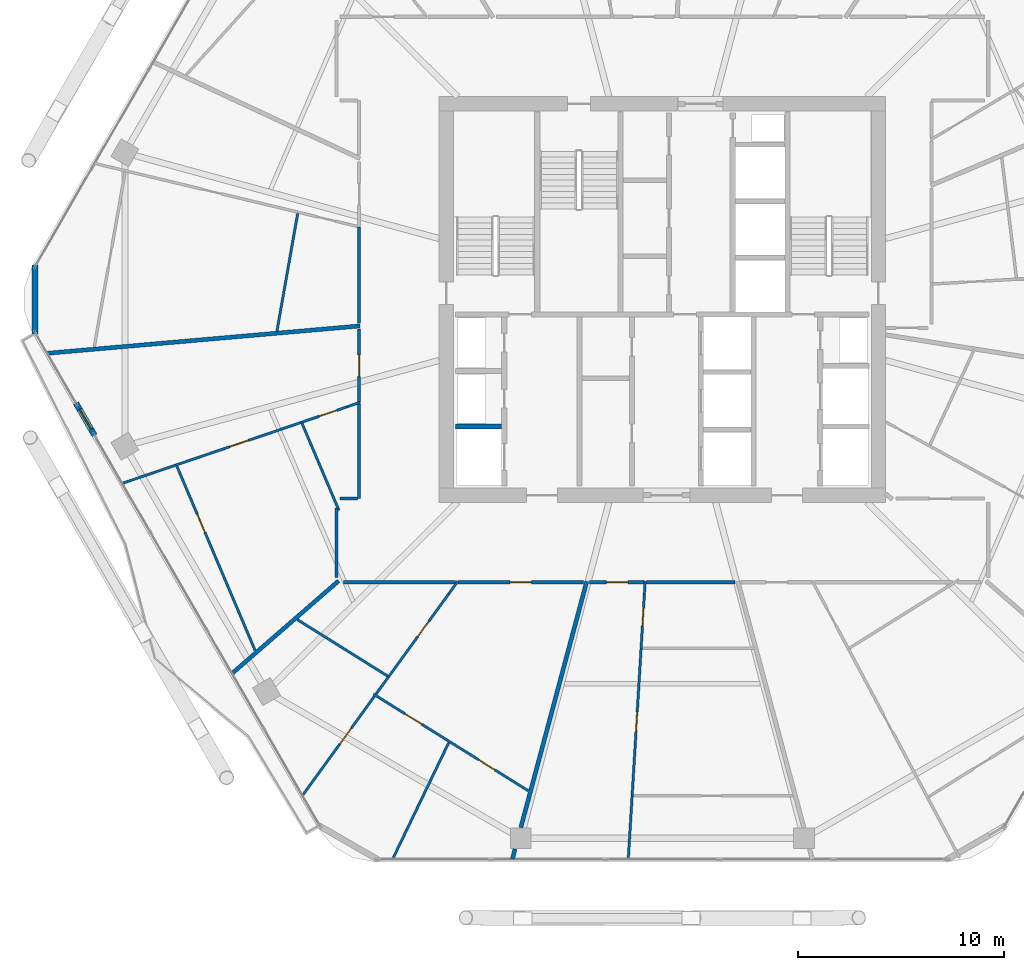
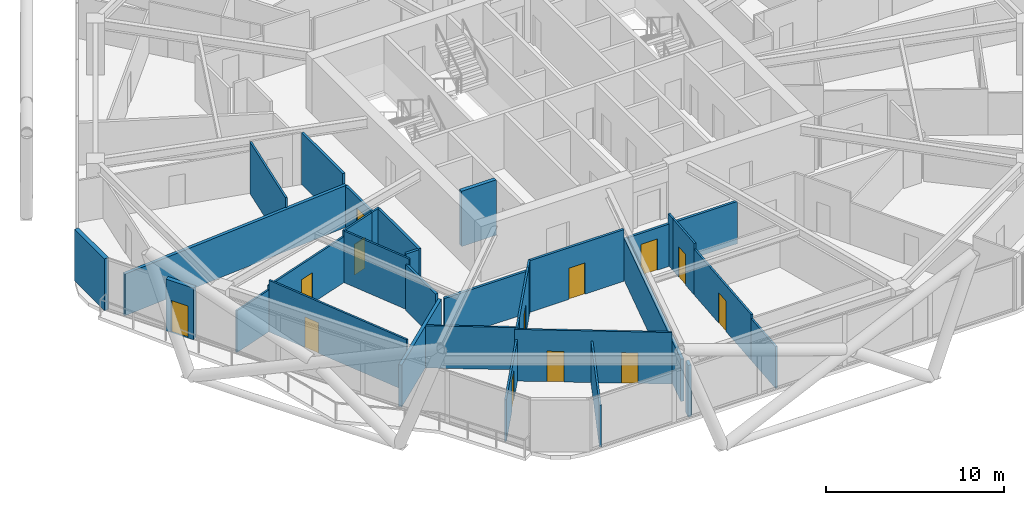
# One storey, part 20 of 28: 34 walls, 13 doors, 13 openings.
"""IFC4 building model written with IfcOpenShell, lengths in metres."""

from ifc_helpers import new_model, si_unit, direction, frame, frame_2d, origin, place, context, subcontext, project, spatial, rectangle, extrude, material, layer, layer_set, type_object, element, fill, save


model = new_model("IFC4")

# Units and contexts
model_context = context("Model", 3, precision=1e-05, world=origin(), true_north=direction((0.0, 1.0)))
body_context = subcontext(model_context, "Body", "Model", "MODEL_VIEW")
ifc_project = project(units=[si_unit("LENGTHUNIT", "METRE"), si_unit("AREAUNIT", "SQUARE_METRE"), si_unit("VOLUMEUNIT", "CUBIC_METRE"), si_unit("PLANEANGLEUNIT", "RADIAN"), si_unit("MASSUNIT", "GRAM", prefix="KILO")], contexts=[model_context])

# Site, building, storey
site_placement = place(None, origin())
site = spatial("IfcSite", under=ifc_project, at=site_placement, CompositionType="ELEMENT")
building_placement = place(site_placement, origin())
building = spatial("IfcBuilding", under=site, at=building_placement, Name="Zuhravey Tower", CompositionType="ELEMENT")
storey_placement = place(building_placement, frame((0.0, 0.0, 169.39990234375)))
storey = spatial("IfcBuildingStorey", under=building, at=storey_placement, Name="L42", CompositionType="ELEMENT", Elevation=169.39990234375)

# Wall, opening, door
ifc_material_1 = material(Name="Gypsum fire-rated stud partition")
ifc_layer_1 = layer(ifc_material_1, 0.159912109375)
ifc_layer_set_1 = layer_set([ifc_layer_1], Name="Gypsum fire-rated stud partition")
wall_type_1 = type_object("IfcWallType", Name="Corridor Fire Partition 160", PredefinedType="PARTITIONING", material=ifc_layer_set_1)
wall_1_placement = place(storey_placement, frame((21.27001953125, 30.5615234375, 0.0), z_axis=(0.0, 0.0, 1.0), x_axis=(0.0, -1.0, 0.0)))
wall_1 = element("IfcWall", 1, at=wall_1_placement, inside=storey, type_object=wall_type_1, Name="L42 IW16 Partition 045", PredefinedType="PARTITIONING", context=body_context, shape_type="SweptSolid", body=[
    extrude(rectangle(XDim=3.554931640625, YDim=0.159912109375, at=frame_2d((1.77734375, 0.0))), origin(), (0.0, 0.0, 1.0), 2.900146484375),
])
opening_1_placement = place(wall_1_placement, frame((1.25244140625, 0.0, 0.0)))
opening_1 = element("IfcOpeningElement", 2, at=opening_1_placement, cuts=wall_1, Name="Opening APD1", PredefinedType="OPENING", context=body_context, shape_type="SweptSolid", body=[
    extrude(rectangle(XDim=1.050048828125, YDim=2.14990234375, at=frame_2d((0.52490234375, 1.074951171875))), frame((0.0, 0.092041015625, 0.0), z_axis=(0.0, -1.0, 0.0), x_axis=(1.0, 0.0, 0.0)), (0.0, 0.0, 1.0), 0.183837890625),
])
ifc_material_2 = material(Name="Solid-core oak fire-rated leaf")
door_type_1 = type_object("IfcDoorType", Name="Apartment Entrance Fire Door 1050x2150", OperationType="NOTDEFINED", PredefinedType="DOOR", material=ifc_material_2)
door_1_placement = place(opening_1_placement, frame((1.050048828125, 0.0, 0.0), z_axis=(0.0, 0.0, 1.0), x_axis=(-1.0, 0.0, 0.0)))
door_1 = element("IfcDoor", 3, at=door_1_placement, inside=storey, type_object=door_type_1, Name="L42 Door 045.1", OperationType="SINGLE_SWING_RIGHT", OverallHeight=2.14990234375, OverallWidth=1.050048828125, PredefinedType="DOOR", context=body_context, shape_type="SweptSolid", body=[
    extrude(rectangle(XDim=1.050048828125, YDim=2.14990234375, at=frame_2d((0.52490234375, 1.074951171875))), frame((0.0, 0.02490234375, 0.0), z_axis=(0.0, -1.0, 0.0), x_axis=(1.0, 0.0, 0.0)), (0.0, 0.0, 1.0), 0.050048828125),
])
fill(opening_1, door_1)

wall_2_placement = place(storey_placement, frame((26.06396484375, 18.27001953125, 0.0), z_axis=(0.0, 0.0, 1.0), x_axis=(1.0, 0.0, 0.0)))
wall_2 = element("IfcWall", 4, at=wall_2_placement, inside=storey, type_object=wall_type_1, Name="L42 IW16 Partition 050", PredefinedType="PARTITIONING", context=body_context, shape_type="SweptSolid", body=[
    extrude(rectangle(XDim=6.107666015625, YDim=0.159912109375, at=frame_2d((3.0537109375, 0.0))), origin(), (0.0, 0.0, 1.0), 3.550048828125),
])
opening_2_placement = place(wall_2_placement, frame((2.52880859375, 0.0, 0.0)))
opening_2 = element("IfcOpeningElement", 5, at=opening_2_placement, cuts=wall_2, Name="Opening APD1", PredefinedType="OPENING", context=body_context, shape_type="SweptSolid", body=[
    extrude(rectangle(XDim=1.050048828125, YDim=2.14990234375, at=frame_2d((0.52490234375, 1.074951171875))), frame((0.0, 0.092041015625, 0.0), z_axis=(0.0, -1.0, 0.0), x_axis=(1.0, 0.0, 0.0)), (0.0, 0.0, 1.0), 0.183837890625),
])
door_2_placement = place(opening_2_placement, frame((1.050048828125, 0.0, 0.0), z_axis=(0.0, 0.0, 1.0), x_axis=(-1.0, 0.0, 0.0)))
door_2 = element("IfcDoor", 6, at=door_2_placement, inside=storey, type_object=door_type_1, Name="L42 Door 050.1", OperationType="SINGLE_SWING_LEFT", OverallHeight=2.14990234375, OverallWidth=1.050048828125, PredefinedType="DOOR", context=body_context, shape_type="SweptSolid", body=[
    extrude(rectangle(XDim=1.050048828125, YDim=2.14990234375, at=frame_2d((0.52490234375, 1.074951171875))), frame((0.0, 0.02490234375, 0.0), z_axis=(0.0, -1.0, 0.0), x_axis=(1.0, 0.0, 0.0)), (0.0, 0.0, 1.0), 0.050048828125),
])
fill(opening_2, door_2)

wall_3_placement = place(storey_placement, frame((32.4697265625, 18.27001953125, 0.0), z_axis=(0.0, 0.0, 1.0), x_axis=(1.0, 0.0, 0.0)))
wall_3 = element("IfcWall", 7, at=wall_3_placement, inside=storey, type_object=wall_type_1, Name="L42 IW16 Partition 054", PredefinedType="PARTITIONING", context=body_context, shape_type="SweptSolid", body=[
    extrude(rectangle(XDim=2.67529296875, YDim=0.159912109375, at=frame_2d((1.337646484375, 0.0))), origin(), (0.0, 0.0, 1.0), 2.900146484375),
])
opening_3_placement = place(wall_3_placement, frame((0.8125, 0.0, 0.0)))
opening_3 = element("IfcOpeningElement", 8, at=opening_3_placement, cuts=wall_3, Name="Opening APD1", PredefinedType="OPENING", context=body_context, shape_type="SweptSolid", body=[
    extrude(rectangle(XDim=1.050048828125, YDim=2.14990234375, at=frame_2d((0.52490234375, 1.074951171875))), frame((0.0, 0.092041015625, 0.0), z_axis=(0.0, -1.0, 0.0), x_axis=(1.0, 0.0, 0.0)), (0.0, 0.0, 1.0), 0.183837890625),
])
door_3_placement = place(opening_3_placement, frame((1.050048828125, 0.0, 0.0), z_axis=(0.0, 0.0, 1.0), x_axis=(-1.0, 0.0, 0.0)))
door_3 = element("IfcDoor", 9, at=door_3_placement, inside=storey, type_object=door_type_1, Name="L42 Door 054.1", OperationType="SINGLE_SWING_LEFT", OverallHeight=2.14990234375, OverallWidth=1.050048828125, PredefinedType="DOOR", context=body_context, shape_type="SweptSolid", body=[
    extrude(rectangle(XDim=1.050048828125, YDim=2.14990234375, at=frame_2d((0.52490234375, 1.074951171875))), frame((0.0, 0.02490234375, 0.0), z_axis=(0.0, -1.0, 0.0), x_axis=(1.0, 0.0, 0.0)), (0.0, 0.0, 1.0), 0.050048828125),
])
fill(opening_3, door_3)

# Walls
wall_4_placement = place(storey_placement, frame((21.27001953125, 35.510498046875, 0.0), z_axis=(0.0, 0.0, 1.0), x_axis=(0.0, -1.0, 0.0)))
element("IfcWall", 10, at=wall_4_placement, inside=storey, type_object=wall_type_1, Name="L42 IW16 Partition 133", PredefinedType="PARTITIONING", context=body_context, shape_type="SweptSolid", body=[
    extrude(rectangle(XDim=4.649658203125, YDim=0.159912109375, at=frame_2d((2.32470703125, 0.0))), origin(), (0.0, 0.0, 1.0), 3.550048828125),
])
wall_5_placement = place(storey_placement, frame((21.27001953125, 26.913818359375, 0.0), z_axis=(0.0, 0.0, 1.0), x_axis=(0.0, -1.0, 0.0)))
element("IfcWall", 11, at=wall_5_placement, inside=storey, type_object=wall_type_1, Name="L42 IW16 Partition 134", PredefinedType="PARTITIONING", context=body_context, shape_type="SweptSolid", body=[
    extrude(rectangle(XDim=4.583740234375, YDim=0.159912109375, at=frame_2d((2.2919921875, 0.0))), origin(), (0.0, 0.0, 1.0), 3.550048828125),
])
wall_6_placement = place(storey_placement, frame((21.181884765625, 22.330078125, 0.0), z_axis=(0.0, 0.0, 1.0), x_axis=(-1.0, 0.0, 0.0)))
element("IfcWall", 12, at=wall_6_placement, inside=storey, type_object=wall_type_1, Name="L42 IW16 Partition 135", PredefinedType="PARTITIONING", context=body_context, shape_type="SweptSolid", body=[
    extrude(rectangle(XDim=0.831787109375, YDim=0.159912109375, at=frame_2d((0.416015625, 0.0))), origin(), (0.0, 0.0, 1.0), 3.550048828125),
])
wall_7_placement = place(storey_placement, frame((20.169921875, 21.87060546875, 0.0), z_axis=(0.0, 0.0, 1.0), x_axis=(0.0, -1.0, 0.0)))
element("IfcWall", 13, at=wall_7_placement, inside=storey, type_object=wall_type_1, Name="L42 IW16 Partition 136", PredefinedType="PARTITIONING", context=body_context, shape_type="SweptSolid", body=[
    extrude(rectangle(XDim=3.364501953125, YDim=0.159912109375, at=frame_2d((1.68212890625, 0.0))), origin(), (0.0, 0.0, 1.0), 3.150146484375),
])
wall_8_placement = place(storey_placement, frame((20.51123046875, 18.27001953125, 0.0), z_axis=(0.0, 0.0, 1.0), x_axis=(1.0, 0.0, 0.0)))
element("IfcWall", 14, at=wall_8_placement, inside=storey, type_object=wall_type_1, Name="L42 IW16 Partition 137", PredefinedType="PARTITIONING", context=body_context, shape_type="SweptSolid", body=[
    extrude(rectangle(XDim=5.44384765625, YDim=0.159912109375, at=frame_2d((2.721923828125, 0.0))), origin(), (0.0, 0.0, 1.0), 2.900146484375),
])
wall_9_placement = place(storey_placement, frame((35.233154296875, 18.27001953125, 0.0), z_axis=(0.0, 0.0, 1.0), x_axis=(1.0, 0.0, 0.0)))
element("IfcWall", 15, at=wall_9_placement, inside=storey, type_object=wall_type_1, Name="L42 IW16 Partition 138", PredefinedType="PARTITIONING", context=body_context, shape_type="SweptSolid", body=[
    extrude(rectangle(XDim=4.297119140625, YDim=0.159912109375, at=frame_2d((2.1484375, 0.0))), origin(), (0.0, 0.0, 1.0), 2.900146484375),
])

# Wall, opening, door
ifc_material_3 = material(Name="Precast concrete C40/50", Category="concrete")
ifc_layer_2 = layer(ifc_material_3, 0.280029296875)
ifc_layer_set_2 = layer_set([ifc_layer_2], Name="Precast concrete C40/50")
wall_type_2 = type_object("IfcWallType", Name="Crown Architectural Wall 280", PredefinedType="SOLIDWALL", material=ifc_layer_set_2)
wall_10_placement = place(storey_placement, frame((8.419189453125, 25.4052734375, 0.0), z_axis=(0.0, 0.0, 1.0), x_axis=(-0.499982180423, 0.866035691677, 0.0)))
wall_10 = element("IfcWall", 16, at=wall_10_placement, inside=storey, type_object=wall_type_2, Name="L42 Face 4 Facade Pier EW28-1", PredefinedType="SOLIDWALL", context=body_context, shape_type="SweptSolid", body=[
    extrude(rectangle(XDim=1.7900390625, YDim=0.280029296875, at=frame_2d((0.89501953125, 0.0))), origin(), (0.0, 0.0, 1.0), 3.550048828125),
])
opening_4_placement = place(wall_10_placement, frame((0.344970703125, 0.0, 0.0)))
opening_4 = element("IfcOpeningElement", 17, at=opening_4_placement, cuts=wall_10, Name="Opening BLD1", PredefinedType="OPENING", context=body_context, shape_type="SweptSolid", body=[
    extrude(rectangle(XDim=1.10009765625, YDim=2.199951171875, at=frame_2d((0.550048828125, 1.10009765625))), frame((0.0, 0.152099609375, 0.0), z_axis=(0.0, -1.0, 0.0), x_axis=(1.0, 0.0, 0.0)), (0.0, 0.0, 1.0), 0.303955078125),
])
ifc_material_4 = material(Name="Thermally broken aluminium and low-E glass", Category="aluminium")
door_type_2 = type_object("IfcDoorType", Name="Balcony & Sky-Tray Glazed Door 1100x2200", OperationType="NOTDEFINED", PredefinedType="DOOR", material=ifc_material_4)
door_4_placement = place(opening_4_placement, frame((1.10009765625, 0.0, 0.0), z_axis=(0.0, 0.0, 1.0), x_axis=(-1.0, 0.0, 0.0)))
door_4 = element("IfcDoor", 18, at=door_4_placement, inside=storey, type_object=door_type_2, Name="L42 Face 4 Wave Balcony Door", OperationType="SINGLE_SWING_LEFT", OverallHeight=2.199951171875, OverallWidth=1.10009765625, PredefinedType="DOOR", context=body_context, shape_type="SweptSolid", body=[
    extrude(rectangle(XDim=1.10009765625, YDim=2.199951171875, at=frame_2d((0.550048828125, 1.10009765625))), frame((0.0, 0.02490234375, 0.0), z_axis=(0.0, -1.0, 0.0), x_axis=(1.0, 0.0, 0.0)), (0.0, 0.0, 1.0), 0.050048828125),
])
fill(opening_4, door_4)

# Walls
wall_11_placement = place(storey_placement, frame((5.5283203125, 30.3173828125, 0.0), z_axis=(0.0, 0.0, 1.0), x_axis=(0.0, 1.0, 0.0)))
element("IfcWall", 19, at=wall_11_placement, inside=storey, type_object=wall_type_2, Name="L42 Rounded Corner Closure Wall EW28-06", PredefinedType="SOLIDWALL", context=body_context, shape_type="SweptSolid", body=[
    extrude(rectangle(XDim=3.365234375, YDim=0.280029296875, at=frame_2d((1.6826171875, 0.0))), origin(), (0.0, 0.0, 1.0), 3.550048828125),
])
ifc_material_5 = material(Name="Concrete C50/60", Category="concrete")
ifc_layer_3 = layer(ifc_material_5, 0.25)
ifc_layer_set_3 = layer_set([ifc_layer_3], Name="Concrete C50/60")
wall_type_3 = type_object("IfcWallType", Name="Firefighting Shaft & Stair Wall 250", PredefinedType="SOLIDWALL", material=ifc_layer_set_3)
wall_12_placement = place(storey_placement, frame((25.949951171875, 25.824951171875, 0.0), z_axis=(0.0, 0.0, 1.0), x_axis=(1.0, 0.0, 0.0)))
element("IfcWall", 20, at=wall_12_placement, inside=storey, type_object=wall_type_3, Name="L42 FW25 Shaft Wall 009", PredefinedType="SOLIDWALL", context=body_context, shape_type="SweptSolid", body=[
    extrude(rectangle(XDim=2.25, YDim=0.25, at=frame_2d((1.125, 0.0))), origin(), (0.0, 0.0, 1.0), 3.800048828125),
])
ifc_material_6 = material(Name="Gypsum double-stud party assembly")
ifc_layer_4 = layer(ifc_material_6, 0.199951171875)
ifc_layer_set_4 = layer_set([ifc_layer_4], Name="Gypsum double-stud party assembly")
wall_type_4 = type_object("IfcWallType", Name="Inter-Tenancy Party Wall 200", PredefinedType="PARTITIONING", material=ifc_layer_set_4)
wall_13_placement = place(storey_placement, frame((21.31005859375, 30.71484375, 0.0), z_axis=(0.0, 0.0, 1.0), x_axis=(-0.996194847126, -0.087154039266, 0.0)))
element("IfcWall", 21, at=wall_13_placement, inside=storey, type_object=wall_type_4, Name="L42 IW20 Partition 096", PredefinedType="PARTITIONING", context=body_context, shape_type="SweptSolid", body=[
    extrude(rectangle(XDim=15.247314453125, YDim=0.199951171875, at=frame_2d((7.62353515625, 0.0))), origin(), (0.0, 0.0, 1.0), 2.8701171875),
])
wall_14_placement = place(storey_placement, frame((20.27587890625, 18.331298828125, 0.0), z_axis=(0.0, 0.0, 1.0), x_axis=(-0.754712052901, -0.656056184489, 0.0)))
element("IfcWall", 22, at=wall_14_placement, inside=storey, type_object=wall_type_4, Name="L42 IW20 Partition 100", PredefinedType="PARTITIONING", context=body_context, shape_type="SweptSolid", body=[
    extrude(rectangle(XDim=6.857421875, YDim=0.199951171875, at=frame_2d((3.4287109375, 0.0))), origin(), (0.0, 0.0, 1.0), 2.8701171875),
])
wall_15_placement = place(storey_placement, frame((32.331787109375, 18.31005859375, 0.0), z_axis=(0.0, 0.0, 1.0), x_axis=(-0.258823121138, -0.96592473411, 0.0)))
element("IfcWall", 23, at=wall_15_placement, inside=storey, type_object=wall_type_4, Name="L42 IW20 Partition 104", PredefinedType="PARTITIONING", context=body_context, shape_type="SweptSolid", body=[
    extrude(rectangle(XDim=12.38525390625, YDim=0.199951171875, at=frame_2d((6.192626953125, 0.0))), origin(), (0.0, 0.0, 1.0), 2.900146484375),
])
wall_16_placement = place(storey_placement, frame((28.84765625, 5.306884765625, 0.0), z_axis=(0.0, 0.0, 1.0), x_axis=(-0.258920510492, -0.965898633008, 0.0)))
element("IfcWall", 24, at=wall_16_placement, inside=storey, type_object=wall_type_4, Name="L42 IW20 Partition 105", PredefinedType="PARTITIONING", context=body_context, shape_type="SweptSolid", body=[
    extrude(rectangle(XDim=0.50732421875, YDim=0.199951171875, at=frame_2d((0.253662109375, 0.0))), origin(), (0.0, 0.0, 1.0), 3.550048828125),
])

# Wall, opening, door
ifc_material_7 = material(Name="Gypsum metal-stud partition")
ifc_layer_5 = layer(ifc_material_7, 0.1201171875)
ifc_layer_set_5 = layer_set([ifc_layer_5], Name="Gypsum metal-stud partition")
wall_type_5 = type_object("IfcWallType", Name="Unit Internal Partition 120", PredefinedType="PARTITIONING", material=ifc_layer_set_5)
wall_17_placement = place(storey_placement, frame((20.699951171875, 26.79150390625, 0.0), z_axis=(0.0, 0.0, 1.0), x_axis=(-0.946637890064, -0.322299092608, 0.0)))
wall_17 = element("IfcWall", 25, at=wall_17_placement, inside=storey, type_object=wall_type_5, Name="L42 IW12 Partition 042", PredefinedType="PARTITIONING", context=body_context, shape_type="SweptSolid", body=[
    extrude(rectangle(XDim=2.3740234375, YDim=0.1201171875, at=frame_2d((1.18701171875, 0.0))), origin(), (0.0, 0.0, 1.0), 3.550048828125),
])
opening_5_placement = place(wall_17_placement, frame((0.547119140625, 0.0, 0.0)))
opening_5 = element("IfcOpeningElement", 26, at=opening_5_placement, cuts=wall_17, Name="Opening WCD1", PredefinedType="OPENING", context=body_context, shape_type="SweptSolid", body=[
    extrude(rectangle(XDim=0.89990234375, YDim=2.10009765625, at=frame_2d((0.449951171875, 1.050048828125))), frame((0.0, 0.072021484375, 0.0), z_axis=(0.0, -1.0, 0.0), x_axis=(1.0, 0.0, 0.0)), (0.0, 0.0, 1.0), 0.14404296875),
])
ifc_material_8 = material(Name="Moisture-resistant timber leaf", Category="wood")
door_type_3 = type_object("IfcDoorType", Name="Bathroom & WC Internal Door 900x2100", OperationType="NOTDEFINED", PredefinedType="DOOR", material=ifc_material_8)
door_5_placement = place(opening_5_placement, origin())
door_5 = element("IfcDoor", 27, at=door_5_placement, inside=storey, type_object=door_type_3, Name="Apartment L42-06 Bathroom Door", OperationType="SINGLE_SWING_LEFT", OverallHeight=2.10009765625, OverallWidth=0.89990234375, PredefinedType="DOOR", context=body_context, shape_type="SweptSolid", body=[
    extrude(rectangle(XDim=0.89990234375, YDim=2.10009765625, at=frame_2d((0.449951171875, 1.050048828125))), frame((0.0, 0.02490234375, 0.0), z_axis=(0.0, -1.0, 0.0), x_axis=(1.0, 0.0, 0.0)), (0.0, 0.0, 1.0), 0.050048828125),
])
fill(opening_5, door_5)

wall_18_placement = place(storey_placement, frame((18.45263671875, 26.026611328125, 0.0), z_axis=(0.0, 0.0, 1.0), x_axis=(-0.946642506906, -0.322285531973, 0.0)))
wall_18 = element("IfcWall", 28, at=wall_18_placement, inside=storey, type_object=wall_type_5, Name="L42 IW12 Partition 043", PredefinedType="PARTITIONING", context=body_context, shape_type="SweptSolid", body=[
    extrude(rectangle(XDim=6.42529296875, YDim=0.1201171875, at=frame_2d((3.212646484375, 0.0))), origin(), (0.0, 0.0, 1.0), 3.150146484375),
])
opening_6_placement = place(wall_18_placement, frame((2.712646484375, 0.0, 0.0)))
opening_6 = element("IfcOpeningElement", 29, at=opening_6_placement, cuts=wall_18, Name="Opening IND1", PredefinedType="OPENING", context=body_context, shape_type="SweptSolid", body=[
    extrude(rectangle(XDim=0.949951171875, YDim=2.10009765625, at=frame_2d((0.47509765625, 1.050048828125))), frame((0.0, 0.072021484375, 0.0), z_axis=(0.0, -1.0, 0.0), x_axis=(1.0, 0.0, 0.0)), (0.0, 0.0, 1.0), 0.14404296875),
])
ifc_material_9 = material(Name="Painted engineered timber leaf", Category="wood")
door_type_4 = type_object("IfcDoorType", Name="Internal Room & Bedroom Door 950x2100", OperationType="NOTDEFINED", PredefinedType="DOOR", material=ifc_material_9)
door_6_placement = place(opening_6_placement, origin())
door_6 = element("IfcDoor", 30, at=door_6_placement, inside=storey, type_object=door_type_4, Name="Apartment L42-06 Home Office Door", OperationType="SINGLE_SWING_RIGHT", OverallHeight=2.10009765625, OverallWidth=0.949951171875, PredefinedType="DOOR", context=body_context, shape_type="SweptSolid", body=[
    extrude(rectangle(XDim=0.949951171875, YDim=2.10009765625, at=frame_2d((0.47509765625, 1.050048828125))), frame((0.0, 0.02490234375, 0.0), z_axis=(0.0, -1.0, 0.0), x_axis=(1.0, 0.0, 0.0)), (0.0, 0.0, 1.0), 0.050048828125),
])
fill(opening_6, door_6)

wall_19_placement = place(storey_placement, frame((12.42041015625, 23.90087890625, 0.0), z_axis=(0.0, 0.0, 1.0), x_axis=(0.390728803852, -0.920505840199, 0.0)))
wall_19 = element("IfcWall", 31, at=wall_19_placement, inside=storey, type_object=wall_type_5, Name="L42 IW12 Partition 044", PredefinedType="PARTITIONING", context=body_context, shape_type="SweptSolid", body=[
    extrude(rectangle(XDim=9.704345703125, YDim=0.1201171875, at=frame_2d((4.85205078125, 0.0))), origin(), (0.0, 0.0, 1.0), 3.550048828125),
])
opening_7_placement = place(wall_19_placement, frame((2.532958984375, 0.0, 0.0)))
opening_7 = element("IfcOpeningElement", 32, at=opening_7_placement, cuts=wall_19, Name="Opening IND1", PredefinedType="OPENING", context=body_context, shape_type="SweptSolid", body=[
    extrude(rectangle(XDim=0.949951171875, YDim=2.10009765625, at=frame_2d((0.47509765625, 1.050048828125))), frame((0.0, 0.072021484375, 0.0), z_axis=(0.0, -1.0, 0.0), x_axis=(1.0, 0.0, 0.0)), (0.0, 0.0, 1.0), 0.14404296875),
])
door_7_placement = place(opening_7_placement, frame((0.949951171875, 0.0, 0.0), z_axis=(0.0, 0.0, 1.0), x_axis=(-1.0, 0.0, 0.0)))
door_7 = element("IfcDoor", 33, at=door_7_placement, inside=storey, type_object=door_type_4, Name="Apartment L42-06 Bedroom 1 Door", OperationType="SINGLE_SWING_LEFT", OverallHeight=2.10009765625, OverallWidth=0.949951171875, PredefinedType="DOOR", context=body_context, shape_type="SweptSolid", body=[
    extrude(rectangle(XDim=0.949951171875, YDim=2.10009765625, at=frame_2d((0.47509765625, 1.050048828125))), frame((0.0, 0.02490234375, 0.0), z_axis=(0.0, -1.0, 0.0), x_axis=(1.0, 0.0, 0.0)), (0.0, 0.0, 1.0), 0.050048828125),
])
fill(opening_7, door_7)

# Wall, openings, doors
wall_20_placement = place(storey_placement, frame((21.970703125, 12.83251953125, 0.0), z_axis=(0.0, 0.0, 1.0), x_axis=(0.84804473337, -0.529924645779, 0.0)))
wall_20 = element("IfcWall", 34, at=wall_20_placement, inside=storey, type_object=wall_type_5, Name="L42 IW12 Partition 046", PredefinedType="PARTITIONING", context=body_context, shape_type="SweptSolid", body=[
    extrude(rectangle(XDim=8.86181640625, YDim=0.1201171875, at=frame_2d((4.430908203125, 0.0))), origin(), (0.0, 0.0, 1.0), 3.550048828125),
])
opening_8_placement = place(wall_20_placement, frame((1.817138671875, 0.0, 0.0)))
opening_8 = element("IfcOpeningElement", 35, at=opening_8_placement, cuts=wall_20, Name="Opening IND1", PredefinedType="OPENING", context=body_context, shape_type="SweptSolid", body=[
    extrude(rectangle(XDim=0.949951171875, YDim=2.10009765625, at=frame_2d((0.47509765625, 1.050048828125))), frame((0.0, 0.072021484375, 0.0), z_axis=(0.0, -1.0, 0.0), x_axis=(1.0, 0.0, 0.0)), (0.0, 0.0, 1.0), 0.14404296875),
])
opening_9_placement = place(wall_20_placement, frame((6.00732421875, 0.0, 0.0)))
opening_9 = element("IfcOpeningElement", 36, at=opening_9_placement, cuts=wall_20, Name="Opening IND1", PredefinedType="OPENING", context=body_context, shape_type="SweptSolid", body=[
    extrude(rectangle(XDim=0.949951171875, YDim=2.10009765625, at=frame_2d((0.47509765625, 1.050048828125))), frame((0.0, 0.072021484375, 0.0), z_axis=(0.0, -1.0, 0.0), x_axis=(1.0, 0.0, 0.0)), (0.0, 0.0, 1.0), 0.14404296875),
])
door_8_placement = place(opening_8_placement, frame((0.949951171875, 0.0, 0.0), z_axis=(0.0, 0.0, 1.0), x_axis=(-1.0, 0.0, 0.0)))
door_8 = element("IfcDoor", 37, at=door_8_placement, inside=storey, type_object=door_type_4, Name="Apartment L42-07 Family Study Door", OperationType="SINGLE_SWING_LEFT", OverallHeight=2.10009765625, OverallWidth=0.949951171875, PredefinedType="DOOR", context=body_context, shape_type="SweptSolid", body=[
    extrude(rectangle(XDim=0.949951171875, YDim=2.10009765625, at=frame_2d((0.47509765625, 1.050048828125))), frame((0.0, 0.02490234375, 0.0), z_axis=(0.0, -1.0, 0.0), x_axis=(1.0, 0.0, 0.0)), (0.0, 0.0, 1.0), 0.050048828125),
])
fill(opening_8, door_8)
door_9_placement = place(opening_9_placement, frame((0.949951171875, 0.0, 0.0), z_axis=(0.0, 0.0, 1.0), x_axis=(-1.0, 0.0, 0.0)))
door_9 = element("IfcDoor", 38, at=door_9_placement, inside=storey, type_object=door_type_4, Name="Apartment L42-07 Dining Room Door", OperationType="SINGLE_SWING_RIGHT", OverallHeight=2.10009765625, OverallWidth=0.949951171875, PredefinedType="DOOR", context=body_context, shape_type="SweptSolid", body=[
    extrude(rectangle(XDim=0.949951171875, YDim=2.10009765625, at=frame_2d((0.47509765625, 1.050048828125))), frame((0.0, 0.02490234375, 0.0), z_axis=(0.0, -1.0, 0.0), x_axis=(1.0, 0.0, 0.0)), (0.0, 0.0, 1.0), 0.050048828125),
])
fill(opening_9, door_9)

# Wall, opening, door
wall_21_placement = place(storey_placement, frame((25.625732421875, 17.699951171875, 0.0), z_axis=(0.0, 0.0, 1.0), x_axis=(-0.587247080924, -0.809407725406, 0.0)))
wall_21 = element("IfcWall", 39, at=wall_21_placement, inside=storey, type_object=wall_type_5, Name="L42 IW12 Partition 047", PredefinedType="PARTITIONING", context=body_context, shape_type="SweptSolid", body=[
    extrude(rectangle(XDim=4.99462890625, YDim=0.1201171875, at=frame_2d((2.497314453125, 0.0))), origin(), (0.0, 0.0, 1.0), 3.550048828125),
])
opening_10_placement = place(wall_21_placement, frame((1.647705078125, 0.0, 0.0)))
opening_10 = element("IfcOpeningElement", 40, at=opening_10_placement, cuts=wall_21, Name="Opening WCD1", PredefinedType="OPENING", context=body_context, shape_type="SweptSolid", body=[
    extrude(rectangle(XDim=0.89990234375, YDim=2.10009765625, at=frame_2d((0.449951171875, 1.050048828125))), frame((0.0, 0.072021484375, 0.0), z_axis=(0.0, -1.0, 0.0), x_axis=(1.0, 0.0, 0.0)), (0.0, 0.0, 1.0), 0.14404296875),
])
door_10_placement = place(opening_10_placement, frame((0.89990234375, 0.0, 0.0), z_axis=(0.0, 0.0, 1.0), x_axis=(-1.0, 0.0, 0.0)))
door_10 = element("IfcDoor", 41, at=door_10_placement, inside=storey, type_object=door_type_3, Name="Apartment L42-07 Bathroom Door", OperationType="SINGLE_SWING_LEFT", OverallHeight=2.10009765625, OverallWidth=0.89990234375, PredefinedType="DOOR", context=body_context, shape_type="SweptSolid", body=[
    extrude(rectangle(XDim=0.89990234375, YDim=2.10009765625, at=frame_2d((0.449951171875, 1.050048828125))), frame((0.0, 0.02490234375, 0.0), z_axis=(0.0, -1.0, 0.0), x_axis=(1.0, 0.0, 0.0)), (0.0, 0.0, 1.0), 0.050048828125),
])
fill(opening_10, door_10)

# Wall
wall_22_placement = place(storey_placement, frame((22.692626953125, 13.6572265625, 0.0), z_axis=(0.0, 0.0, 1.0), x_axis=(-0.587243042338, -0.809410655493, 0.0)))
element("IfcWall", 42, at=wall_22_placement, inside=storey, type_object=wall_type_5, Name="L42 IW12 Partition 048", PredefinedType="PARTITIONING", context=body_context, shape_type="SweptSolid", body=[
    extrude(rectangle(XDim=1.0166015625, YDim=0.1201171875, at=frame_2d((0.50830078125, 0.0))), origin(), (0.0, 0.0, 1.0), 3.550048828125),
])

# Wall, opening, door
wall_23_placement = place(storey_placement, frame((22.015869140625, 12.72412109375, 0.0), z_axis=(0.0, 0.0, 1.0), x_axis=(-0.587215499047, -0.809430637967, 0.0)))
wall_23 = element("IfcWall", 43, at=wall_23_placement, inside=storey, type_object=wall_type_5, Name="L42 IW12 Partition 049", PredefinedType="PARTITIONING", context=body_context, shape_type="SweptSolid", body=[
    extrude(rectangle(XDim=5.95361328125, YDim=0.1201171875, at=frame_2d((2.976806640625, 0.0))), origin(), (0.0, 0.0, 1.0), 2.8701171875),
])
opening_11_placement = place(wall_23_placement, frame((1.900390625, 0.0, 0.0)))
opening_11 = element("IfcOpeningElement", 44, at=opening_11_placement, cuts=wall_23, Name="Opening IND1", PredefinedType="OPENING", context=body_context, shape_type="SweptSolid", body=[
    extrude(rectangle(XDim=0.949951171875, YDim=2.10009765625, at=frame_2d((0.47509765625, 1.050048828125))), frame((0.0, 0.072021484375, 0.0), z_axis=(0.0, -1.0, 0.0), x_axis=(1.0, 0.0, 0.0)), (0.0, 0.0, 1.0), 0.14404296875),
])
door_11_placement = place(opening_11_placement, frame((0.949951171875, 0.0, 0.0), z_axis=(0.0, 0.0, 1.0), x_axis=(-1.0, 0.0, 0.0)))
door_11 = element("IfcDoor", 45, at=door_11_placement, inside=storey, type_object=door_type_4, Name="Apartment L42-07 Bedroom 1 Door", OperationType="SINGLE_SWING_RIGHT", OverallHeight=2.10009765625, OverallWidth=0.949951171875, PredefinedType="DOOR", context=body_context, shape_type="SweptSolid", body=[
    extrude(rectangle(XDim=0.949951171875, YDim=2.10009765625, at=frame_2d((0.47509765625, 1.050048828125))), frame((0.0, 0.02490234375, 0.0), z_axis=(0.0, -1.0, 0.0), x_axis=(1.0, 0.0, 0.0)), (0.0, 0.0, 1.0), 0.050048828125),
])
fill(opening_11, door_11)

wall_24_placement = place(storey_placement, frame((35.13037109375, 17.699951171875, 0.0), z_axis=(0.0, 0.0, 1.0), x_axis=(-0.060658034447, -0.998158606063, 0.0)))
wall_24 = element("IfcWall", 46, at=wall_24_placement, inside=storey, type_object=wall_type_5, Name="L42 IW12 Partition 051", PredefinedType="PARTITIONING", context=body_context, shape_type="SweptSolid", body=[
    extrude(rectangle(XDim=2.66845703125, YDim=0.1201171875, at=frame_2d((1.334228515625, 0.0))), origin(), (0.0, 0.0, 1.0), 3.550048828125),
])
opening_12_placement = place(wall_24_placement, frame((0.6708984375, 0.0, 0.0)))
opening_12 = element("IfcOpeningElement", 47, at=opening_12_placement, cuts=wall_24, Name="Opening WCD1", PredefinedType="OPENING", context=body_context, shape_type="SweptSolid", body=[
    extrude(rectangle(XDim=0.89990234375, YDim=2.10009765625, at=frame_2d((0.449951171875, 1.050048828125))), frame((0.0, 0.072021484375, 0.0), z_axis=(0.0, -1.0, 0.0), x_axis=(1.0, 0.0, 0.0)), (0.0, 0.0, 1.0), 0.14404296875),
])
door_12_placement = place(opening_12_placement, origin())
door_12 = element("IfcDoor", 48, at=door_12_placement, inside=storey, type_object=door_type_3, Name="Apartment L42-08 Bathroom Door", OperationType="SINGLE_SWING_RIGHT", OverallHeight=2.10009765625, OverallWidth=0.89990234375, PredefinedType="DOOR", context=body_context, shape_type="SweptSolid", body=[
    extrude(rectangle(XDim=0.89990234375, YDim=2.10009765625, at=frame_2d((0.449951171875, 1.050048828125))), frame((0.0, 0.02490234375, 0.0), z_axis=(0.0, -1.0, 0.0), x_axis=(1.0, 0.0, 0.0)), (0.0, 0.0, 1.0), 0.050048828125),
])
fill(opening_12, door_12)

wall_25_placement = place(storey_placement, frame((34.968505859375, 15.036376953125, 0.0), z_axis=(0.0, 0.0, 1.0), x_axis=(-0.060709915427, -0.998155451906, 0.0)))
wall_25 = element("IfcWall", 49, at=wall_25_placement, inside=storey, type_object=wall_type_5, Name="L42 IW12 Partition 052", PredefinedType="PARTITIONING", context=body_context, shape_type="SweptSolid", body=[
    extrude(rectangle(XDim=7.170166015625, YDim=0.1201171875, at=frame_2d((3.5849609375, 0.0))), origin(), (0.0, 0.0, 1.0), 3.150146484375),
])
opening_13_placement = place(wall_25_placement, frame((3.085205078125, 0.0, 0.0)))
opening_13 = element("IfcOpeningElement", 50, at=opening_13_placement, cuts=wall_25, Name="Opening IND1", PredefinedType="OPENING", context=body_context, shape_type="SweptSolid", body=[
    extrude(rectangle(XDim=0.949951171875, YDim=2.10009765625, at=frame_2d((0.47509765625, 1.050048828125))), frame((0.0, 0.072021484375, 0.0), z_axis=(0.0, -1.0, 0.0), x_axis=(1.0, 0.0, 0.0)), (0.0, 0.0, 1.0), 0.14404296875),
])
door_13_placement = place(opening_13_placement, origin())
door_13 = element("IfcDoor", 51, at=door_13_placement, inside=storey, type_object=door_type_4, Name="Apartment L42-08 Home Office Door", OperationType="SINGLE_SWING_LEFT", OverallHeight=2.10009765625, OverallWidth=0.949951171875, PredefinedType="DOOR", context=body_context, shape_type="SweptSolid", body=[
    extrude(rectangle(XDim=0.949951171875, YDim=2.10009765625, at=frame_2d((0.47509765625, 1.050048828125))), frame((0.0, 0.02490234375, 0.0), z_axis=(0.0, -1.0, 0.0), x_axis=(1.0, 0.0, 0.0)), (0.0, 0.0, 1.0), 0.050048828125),
])
fill(opening_13, door_13)

# Walls
wall_26_placement = place(storey_placement, frame((18.2880859375, 36.17578125, 0.0), z_axis=(0.0, 0.0, 1.0), x_axis=(-0.173654136984, -0.984806702205, 0.0)))
element("IfcWall", 52, at=wall_26_placement, inside=storey, type_object=wall_type_5, Name="L42 IW12 Partition 095", PredefinedType="PARTITIONING", context=body_context, shape_type="SweptSolid", body=[
    extrude(rectangle(XDim=5.838623046875, YDim=0.1201171875, at=frame_2d((2.91943359375, 0.0))), origin(), (0.0, 0.0, 1.0), 3.550048828125),
])
wall_27_placement = place(storey_placement, frame((21.313720703125, 27.00048828125, 0.0), z_axis=(0.0, 0.0, 1.0), x_axis=(-0.946630351542, -0.322321233461, 0.0)))
element("IfcWall", 53, at=wall_27_placement, inside=storey, type_object=wall_type_5, Name="L42 IW12 Partition 097", PredefinedType="PARTITIONING", context=body_context, shape_type="SweptSolid", body=[
    extrude(rectangle(XDim=0.6484375, YDim=0.1201171875, at=frame_2d((0.32421875, 0.0))), origin(), (0.0, 0.0, 1.0), 3.550048828125),
])
wall_28_placement = place(storey_placement, frame((12.3701171875, 23.955810546875, 0.0), z_axis=(0.0, 0.0, 1.0), x_axis=(-0.94665163237, -0.322258726696, 0.0)))
element("IfcWall", 54, at=wall_28_placement, inside=storey, type_object=wall_type_5, Name="L42 IW12 Partition 098", PredefinedType="PARTITIONING", context=body_context, shape_type="SweptSolid", body=[
    extrude(rectangle(XDim=2.75390625, YDim=0.1201171875, at=frame_2d((1.376953125, 0.0))), origin(), (0.0, 0.0, 1.0), 2.8701171875),
])
wall_29_placement = place(storey_placement, frame((18.5029296875, 25.9716796875, 0.0), z_axis=(0.0, 0.0, 1.0), x_axis=(0.39076644384, -0.920489862176, 0.0)))
element("IfcWall", 55, at=wall_29_placement, inside=storey, type_object=wall_type_5, Name="L42 IW12 Partition 099", PredefinedType="PARTITIONING", context=body_context, shape_type="SweptSolid", body=[
    extrude(rectangle(XDim=4.5732421875, YDim=0.1201171875, at=frame_2d((2.28662109375, 0.0))), origin(), (0.0, 0.0, 1.0), 3.550048828125),
])
wall_30_placement = place(storey_placement, frame((25.624267578125, 10.46923828125, 0.0), z_axis=(0.0, 0.0, 1.0), x_axis=(-0.434146084621, -0.900842481907, 0.0)))
element("IfcWall", 56, at=wall_30_placement, inside=storey, type_object=wall_type_5, Name="L42 IW12 Partition 101", PredefinedType="PARTITIONING", context=body_context, shape_type="SweptSolid", body=[
    extrude(rectangle(XDim=6.307861328125, YDim=0.1201171875, at=frame_2d((3.15380859375, 0.0))), origin(), (0.0, 0.0, 1.0), 2.8701171875),
])
wall_31_placement = place(storey_placement, frame((26.06396484375, 18.303955078125, 0.0), z_axis=(0.0, 0.0, 1.0), x_axis=(-0.587257034721, -0.809400503565, 0.0)))
element("IfcWall", 57, at=wall_31_placement, inside=storey, type_object=wall_type_5, Name="L42 IW12 Partition 102", PredefinedType="PARTITIONING", context=body_context, shape_type="SweptSolid", body=[
    extrude(rectangle(XDim=0.746337890625, YDim=0.1201171875, at=frame_2d((0.373046875, 0.0))), origin(), (0.0, 0.0, 1.0), 3.550048828125),
])
wall_32_placement = place(storey_placement, frame((18.27392578125, 16.447998046875, 0.0), z_axis=(0.0, 0.0, 1.0), x_axis=(0.848038174334, -0.529935142138, 0.0)))
element("IfcWall", 58, at=wall_32_placement, inside=storey, type_object=wall_type_5, Name="L42 IW12 Partition 103", PredefinedType="PARTITIONING", context=body_context, shape_type="SweptSolid", body=[
    extrude(rectangle(XDim=5.159912109375, YDim=0.1201171875, at=frame_2d((2.580078125, 0.0))), origin(), (0.0, 0.0, 1.0), 2.900146484375),
])
wall_33_placement = place(storey_placement, frame((35.167724609375, 18.31494140625, 0.0), z_axis=(0.0, 0.0, 1.0), x_axis=(-0.060626660722, -0.998160512147, 0.0)))
element("IfcWall", 59, at=wall_33_placement, inside=storey, type_object=wall_type_5, Name="L42 IW12 Partition 106", PredefinedType="PARTITIONING", context=body_context, shape_type="SweptSolid", body=[
    extrude(rectangle(XDim=0.6162109375, YDim=0.1201171875, at=frame_2d((0.30810546875, 0.0))), origin(), (0.0, 0.0, 1.0), 3.550048828125),
])
wall_34_placement = place(storey_placement, frame((34.533203125, 7.87939453125, 0.0), z_axis=(0.0, 0.0, 1.0), x_axis=(-0.060696544612, -0.998156265057, 0.0)))
element("IfcWall", 60, at=wall_34_placement, inside=storey, type_object=wall_type_5, Name="L42 IW12 Partition 107", PredefinedType="PARTITIONING", context=body_context, shape_type="SweptSolid", body=[
    extrude(rectangle(XDim=3.072998046875, YDim=0.1201171875, at=frame_2d((1.53662109375, 0.0))), origin(), (0.0, 0.0, 1.0), 2.8701171875),
])

save(model, "model.ifc")
